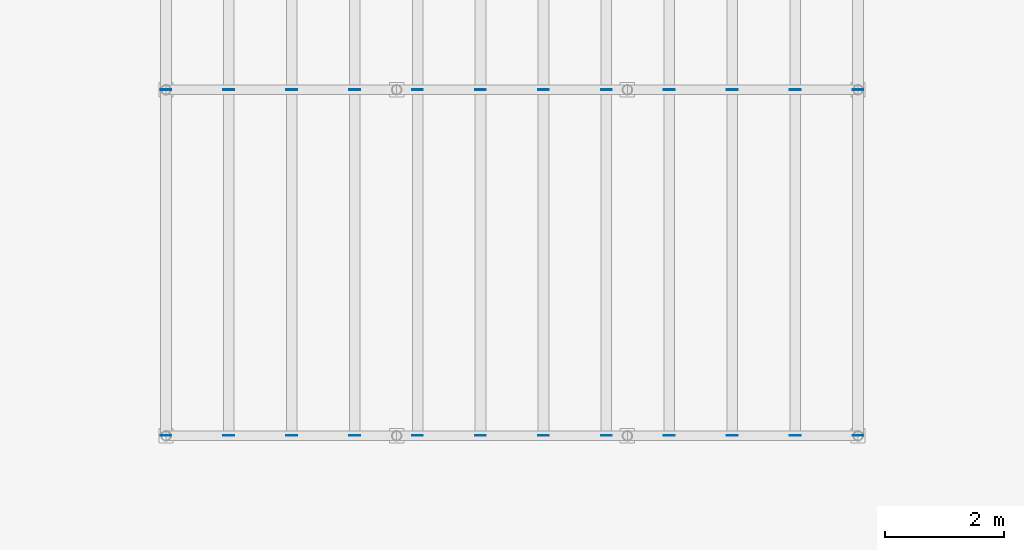
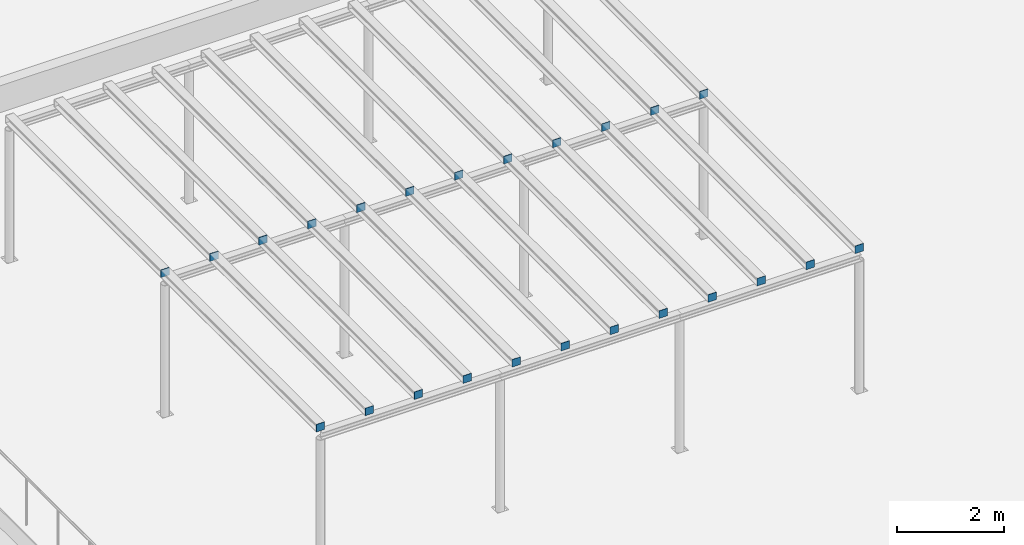
# One storey, part 24 of 28: 36 discrete accessories.
"""IFC4 building model written with IfcOpenShell, lengths in metres."""

from ifc_helpers import new_model, si_unit, direction, frame, origin, origin_2d, place, context, subcontext, project, spatial, rectangle, extrude, material, type_object, element, save


model = new_model("IFC4")

# Units and contexts
model_context = context("Model", 3, precision=1e-05, world=origin(), true_north=direction((0.0, 1.0)))
body_context = subcontext(model_context, "Body", "Model", "MODEL_VIEW")
ifc_project = project(units=[si_unit("LENGTHUNIT", "METRE"), si_unit("AREAUNIT", "SQUARE_METRE"), si_unit("VOLUMEUNIT", "CUBIC_METRE"), si_unit("PLANEANGLEUNIT", "RADIAN"), si_unit("MASSUNIT", "GRAM", prefix="KILO")], contexts=[model_context])

# Site, building, storey
site_placement = place(None, origin())
site = spatial("IfcSite", under=ifc_project, at=site_placement, CompositionType="ELEMENT")
building_placement = place(site_placement, origin())
building = spatial("IfcBuilding", under=site, at=building_placement, Name="Qaws Garden Tower", CompositionType="ELEMENT")
storey_placement = place(building_placement, frame((0.0, 0.0, 6.0)))
storey = spatial("IfcBuildingStorey", under=building, at=storey_placement, Name="L01", CompositionType="ELEMENT", Elevation=6.0)

# Discrete accessories
ifc_material = material(Name="Steel S355", Category="steel")
discrete_accessory_type = type_object("IfcDiscreteAccessoryType", Name="Pergola rafter end plate 8", PredefinedType="USERDEFINED", material=ifc_material)
for number, where, z_axis, x_axis, name in (
    (1, (34.199951171875, 78.2041015625, 3.1201171875), (0.0, 0.0, 1.0), (1.0, 0.0, 0.0), "Pergola 1 rafter 1.1 end plate 1"),
    (2, (34.199951171875, 83.99609375, 3.1201171875), (0.0, 0.0, 1.0), (1.0, 0.0, 0.0), "Pergola 1 rafter 1.1 end plate 2"),
    (3, (34.199951171875, 84.00390625, 3.1201171875), (0.0, 0.0, 1.0), (1.0, 0.0, 0.0), "Pergola 1 rafter 1.2 end plate 1"),
    (4, (35.25439453125, 78.2041015625, 3.1201171875), (0.0, 0.0, 1.0), (1.0, 0.0, 0.0), "Pergola 1 rafter 2.1 end plate 1"),
    (5, (35.25439453125, 83.99609375, 3.1201171875), (0.0, 0.0, 1.0), (1.0, 0.0, 0.0), "Pergola 1 rafter 2.1 end plate 2"),
    (6, (35.25439453125, 84.00390625, 3.1201171875), (0.0, 0.0, 1.0), (1.0, 0.0, 0.0), "Pergola 1 rafter 2.2 end plate 1"),
    (7, (36.30908203125, 78.2041015625, 3.1201171875), (0.0, 0.0, 1.0), (1.0, 0.0, 0.0), "Pergola 1 rafter 3.1 end plate 1"),
    (8, (36.30908203125, 83.99609375, 3.1201171875), (0.0, 0.0, 1.0), (1.0, 0.0, 0.0), "Pergola 1 rafter 3.1 end plate 2"),
    (9, (36.30908203125, 84.00390625, 3.1201171875), (0.0, 0.0, 1.0), (1.0, 0.0, 0.0), "Pergola 1 rafter 3.2 end plate 1"),
    (10, (37.363525390625, 78.2041015625, 3.1201171875), (0.0, 0.0, 1.0), (1.0, 0.0, 0.0), "Pergola 1 rafter 4.1 end plate 1"),
    (11, (37.363525390625, 83.99609375, 3.1201171875), (0.0, 0.0, 1.0), (1.0, 0.0, 0.0), "Pergola 1 rafter 4.1 end plate 2"),
    (12, (37.363525390625, 84.00390625, 3.1201171875), (0.0, 0.0, 1.0), (1.0, 0.0, 0.0), "Pergola 1 rafter 4.2 end plate 1"),
    (13, (38.418212890625, 78.2041015625, 3.1201171875), (0.0, 0.0, 1.0), (1.0, 0.0, 0.0), "Pergola 1 rafter 5.1 end plate 1"),
    (14, (38.418212890625, 83.99609375, 3.1201171875), (0.0, 0.0, 1.0), (1.0, 0.0, 0.0), "Pergola 1 rafter 5.1 end plate 2"),
    (15, (38.418212890625, 84.00390625, 3.1201171875), (0.0, 0.0, 1.0), (1.0, 0.0, 0.0), "Pergola 1 rafter 5.2 end plate 1"),
    (16, (39.47265625, 78.2041015625, 3.1201171875), (0.0, 0.0, 1.0), (1.0, 0.0, 0.0), "Pergola 1 rafter 6.1 end plate 1"),
    (17, (39.47265625, 83.99609375, 3.1201171875), (0.0, 0.0, 1.0), (1.0, 0.0, 0.0), "Pergola 1 rafter 6.1 end plate 2"),
    (18, (39.47265625, 84.00390625, 3.1201171875), (0.0, 0.0, 1.0), (1.0, 0.0, 0.0), "Pergola 1 rafter 6.2 end plate 1"),
    (19, (40.52734375, 78.2041015625, 3.1201171875), (0.0, 0.0, 1.0), (1.0, 0.0, 0.0), "Pergola 1 rafter 7.1 end plate 1"),
    (20, (40.52734375, 83.99609375, 3.1201171875), (0.0, 0.0, 1.0), (1.0, 0.0, 0.0), "Pergola 1 rafter 7.1 end plate 2"),
    (21, (40.52734375, 84.00390625, 3.1201171875), (0.0, 0.0, 1.0), (1.0, 0.0, 0.0), "Pergola 1 rafter 7.2 end plate 1"),
    (22, (41.581787109375, 78.2041015625, 3.1201171875), (0.0, 0.0, 1.0), (1.0, 0.0, 0.0), "Pergola 1 rafter 8.1 end plate 1"),
    (23, (41.581787109375, 83.99609375, 3.1201171875), (0.0, 0.0, 1.0), (1.0, 0.0, 0.0), "Pergola 1 rafter 8.1 end plate 2"),
    (24, (41.581787109375, 84.00390625, 3.1201171875), (0.0, 0.0, 1.0), (1.0, 0.0, 0.0), "Pergola 1 rafter 8.2 end plate 1"),
    (25, (42.636474609375, 78.2041015625, 3.1201171875), (0.0, 0.0, 1.0), (1.0, 0.0, 0.0), "Pergola 1 rafter 9.1 end plate 1"),
    (26, (42.636474609375, 83.99609375, 3.1201171875), (0.0, 0.0, 1.0), (1.0, 0.0, 0.0), "Pergola 1 rafter 9.1 end plate 2"),
    (27, (42.636474609375, 84.00390625, 3.1201171875), (0.0, 0.0, 1.0), (1.0, 0.0, 0.0), "Pergola 1 rafter 9.2 end plate 1"),
    (28, (43.69091796875, 78.2041015625, 3.1201171875), (0.0, 0.0, 1.0), (1.0, 0.0, 0.0), "Pergola 1 rafter 10.1 end plate 1"),
    (29, (43.69091796875, 83.99609375, 3.1201171875), (0.0, 0.0, 1.0), (1.0, 0.0, 0.0), "Pergola 1 rafter 10.1 end plate 2"),
    (30, (43.69091796875, 84.00390625, 3.1201171875), (0.0, 0.0, 1.0), (1.0, 0.0, 0.0), "Pergola 1 rafter 10.2 end plate 1"),
    (31, (44.74560546875, 78.2041015625, 3.1201171875), (0.0, 0.0, 1.0), (1.0, 0.0, 0.0), "Pergola 1 rafter 11.1 end plate 1"),
    (32, (44.74560546875, 83.99609375, 3.1201171875), (0.0, 0.0, 1.0), (1.0, 0.0, 0.0), "Pergola 1 rafter 11.1 end plate 2"),
    (33, (44.74560546875, 84.00390625, 3.1201171875), (0.0, 0.0, 1.0), (1.0, 0.0, 0.0), "Pergola 1 rafter 11.2 end plate 1"),
    (34, (45.800048828125, 78.2041015625, 3.1201171875), (0.0, 0.0, 1.0), (1.0, 0.0, 0.0), "Pergola 1 rafter 12.1 end plate 1"),
    (35, (45.800048828125, 83.99609375, 3.1201171875), (0.0, 0.0, 1.0), (1.0, 0.0, 0.0), "Pergola 1 rafter 12.1 end plate 2"),
    (36, (45.800048828125, 84.00390625, 3.1201171875), (0.0, 0.0, 1.0), (1.0, 0.0, 0.0), "Pergola 1 rafter 12.2 end plate 1"),
):
    element("IfcDiscreteAccessory", number, at=place(storey_placement, frame(where, z_axis=z_axis, x_axis=x_axis)), inside=storey, type_object=discrete_accessory_type, Name=name, ObjectType="End plate", PredefinedType="USERDEFINED", context=body_context, shape_type="SweptSolid", body=[
        extrude(rectangle(XDim=0.179931640625, YDim=0.008056640625, at=origin_2d()), origin(), (0.0, 0.0, 1.0), 0.1708984375),
    ])

save(model, "model.ifc")
